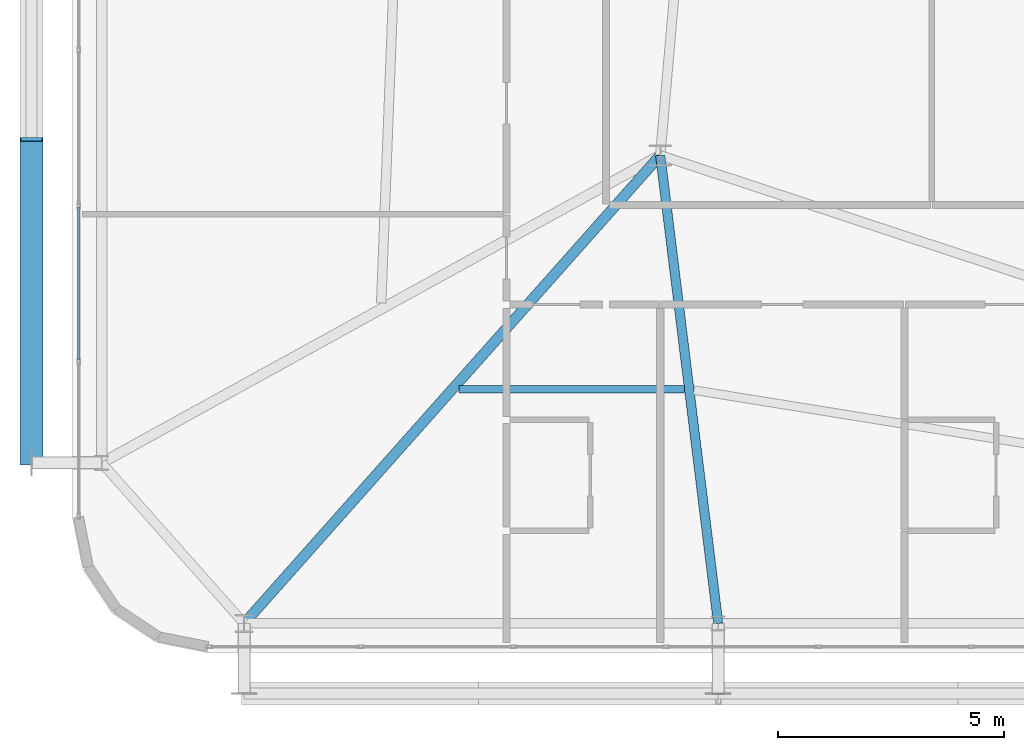
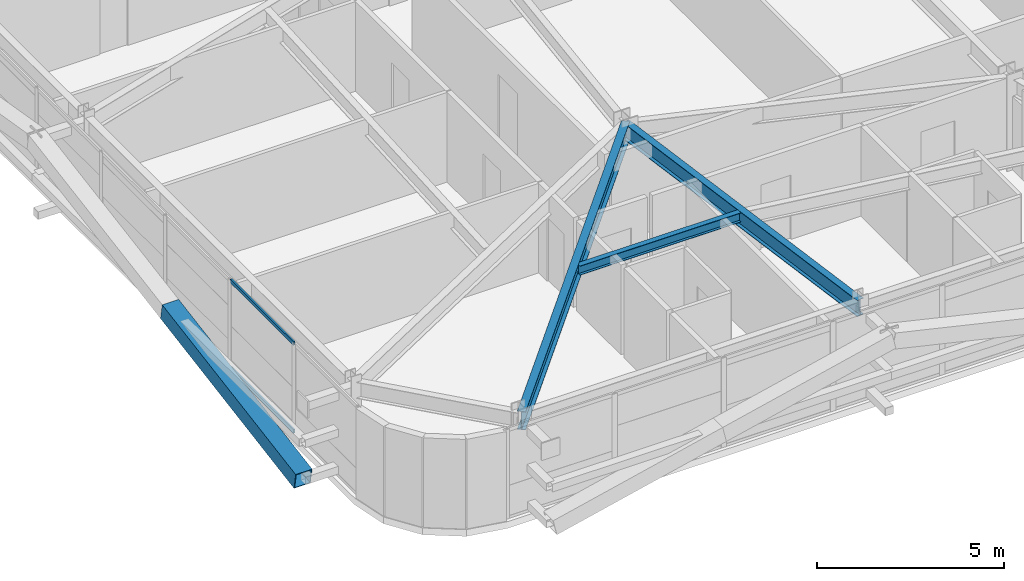
# One storey, part 7 of 58: 3 beams, 3 members, 1 element without a shape of its own.
"""IFC4 building model written with IfcOpenShell, lengths in metres."""

from ifc_helpers import new_model, si_unit, direction, frame, origin, origin_2d, place, context, subcontext, project, spatial, hollow_rectangle, i_section, extrude, source, transform, mapped, material, layer, layer_set, material_profile, profile_set, type_object, element, aggregate, save


model = new_model("IFC4")

# Units and contexts
model_context = context("Model", 3, precision=1e-05, world=origin(), true_north=direction((0.0, 1.0)))
body_context = subcontext(model_context, "Body", "Model", "MODEL_VIEW")
ifc_project = project(units=[si_unit("LENGTHUNIT", "METRE"), si_unit("AREAUNIT", "SQUARE_METRE"), si_unit("VOLUMEUNIT", "CUBIC_METRE"), si_unit("PLANEANGLEUNIT", "RADIAN"), si_unit("MASSUNIT", "GRAM", prefix="KILO")], contexts=[model_context])

# Site, building, storey
site_placement = place(None, origin())
site = spatial("IfcSite", under=ifc_project, at=site_placement, CompositionType="ELEMENT")
building_placement = place(site_placement, origin())
building = spatial("IfcBuilding", under=site, at=building_placement, Name="Taldren Reach Tower", CompositionType="ELEMENT")
storey_placement = place(building_placement, frame((0.0, 0.0, 35.699951171875)))
storey = spatial("IfcBuildingStorey", under=building, at=storey_placement, Name="L10", CompositionType="ELEMENT", Elevation=35.699951171875)

# Beams
ifc_material_1 = material(Name="Steel Gr 350 (350PLUS)", Category="steel")
ifc_material_profile_1 = material_profile(ifc_material_1, i_section(OverallWidth=0.22802734375, OverallDepth=0.60205078125, WebThickness=0.010498046875, FlangeThickness=0.014892578125, at=origin_2d()), Name="610UB101")
ifc_profile_set_1 = profile_set([ifc_material_profile_1], Name="Steel Gr 350 (350PLUS)")
beam_type_1 = type_object("IfcBeamType", Name="BM-UB610B", PredefinedType="BEAM", material=ifc_profile_set_1)
shared_shape_1 = source(origin(), body_context, "Body", "SweptSolid", [
    extrude(i_section(OverallWidth=0.22802734375, OverallDepth=0.60205078125, WebThickness=0.010498046875, FlangeThickness=0.014892578125, at=origin_2d()), origin(), (0.0, 0.0, 1.0), 13.847900390625),
])
beam_1_placement = place(storey_placement, frame((18.0, 12.5, 2.629150390625), z_axis=(-0.664358367375, -0.747414182164, 0.0), x_axis=(0.747414182164, -0.664358367375, 0.0)))
element("IfcBeam", 1, at=beam_1_placement, inside=storey, type_object=beam_type_1, Name="Primary floor girder B1-S1 L10", PredefinedType="BEAM", context=body_context, shape_type="MappedRepresentation", body=[
    mapped(shared_shape_1, transform((0.0, 0.0, 0.0), scale=1.0)),
])
ifc_material_profile_2 = material_profile(ifc_material_1, i_section(OverallWidth=0.208984375, OverallDepth=0.532958984375, WebThickness=0.01025390625, FlangeThickness=0.015625, at=origin_2d()), Name="530UB92.4")
ifc_profile_set_2 = profile_set([ifc_material_profile_2], Name="Steel Gr 350 (350PLUS)")
beam_type_2 = type_object("IfcBeamType", Name="BM-UB530A", PredefinedType="BEAM", material=ifc_profile_set_2)
shared_shape_2 = source(origin(), body_context, "Body", "SweptSolid", [
    extrude(i_section(OverallWidth=0.208984375, OverallDepth=0.532958984375, WebThickness=0.01025390625, FlangeThickness=0.015625, at=origin_2d()), origin(), (0.0, 0.0, 1.0), 10.428955078125),
])
beam_2_placement = place(storey_placement, frame((18.0, 12.5, 2.66357421875), z_axis=(0.122738080664, -0.992439098159, 0.0), x_axis=(0.992439098159, 0.122738080664, 0.0)))
element("IfcBeam", 2, at=beam_2_placement, inside=storey, type_object=beam_type_2, Name="Primary floor girder B1-S2 L10", PredefinedType="BEAM", context=body_context, shape_type="MappedRepresentation", body=[
    mapped(shared_shape_2, transform((0.0, 0.0, 0.0), scale=1.0)),
])
ifc_material_2 = material(Name="Steel Gr 300 (300PLUS, 300 MPa)", Category="steel")
ifc_material_profile_3 = material_profile(ifc_material_2, i_section(OverallWidth=0.166015625, OverallDepth=0.306884765625, WebThickness=0.006591796875, FlangeThickness=0.01171875, at=origin_2d()), Name="310UB46.2")
ifc_profile_set_3 = profile_set([ifc_material_profile_3], Name="Steel Gr 300 (300PLUS, 300 MPa)")
beam_type_3 = type_object("IfcBeamType", Name="JS-UB310", PredefinedType="JOIST", material=ifc_profile_set_3)
shared_shape_3 = source(origin(), body_context, "Body", "SweptSolid", [
    extrude(i_section(OverallWidth=0.166015625, OverallDepth=0.306884765625, WebThickness=0.006591796875, FlangeThickness=0.01171875, at=origin_2d()), origin(), (0.0, 0.0, 1.0), 4.982177734375),
])
beam_3_placement = place(storey_placement, frame((13.552490234375, 7.324951171875, 2.776611328125), z_axis=(1.0, 0.0, 0.0), x_axis=(0.0, 1.0, 0.0)))
element("IfcBeam", 3, at=beam_3_placement, inside=storey, type_object=beam_type_3, Name="Secondary floor joist B1 J1 L10", PredefinedType="JOIST", context=body_context, shape_type="MappedRepresentation", body=[
    mapped(shared_shape_3, transform((0.0, 0.0, 0.0), scale=1.0)),
])

# Member
ifc_material_3 = material(Name="Steel Gr 450 (C450L0)", Category="steel")
ifc_material_profile_4 = material_profile(ifc_material_3, hollow_rectangle(XDim=0.510009765625, YDim=0.510009765625, WallThickness=0.02001953125, at=origin_2d()), Name="510x510x20.0SHS")
ifc_profile_set_4 = profile_set([ifc_material_profile_4], Name="Steel Gr 450 (C450L0)")
member_type_1 = type_object("IfcMemberType", Name="MB-EXO508", PredefinedType="BRACE", material=ifc_profile_set_4)
shared_shape_4 = source(origin(), body_context, "Body", "SweptSolid", [
    extrude(hollow_rectangle(XDim=0.510009765625, YDim=0.510009765625, WallThickness=0.02001953125, at=origin_2d()), origin(), (0.0, 0.0, 1.0), 7.252685546875),
])
member_1_placement = place(storey_placement, frame((4.10009765625, 5.699951171875, 0.219970703125), z_axis=(0.0, 0.985865800628, 0.167536930711), x_axis=(-1.0, 0.0, 0.0)))
element("IfcMember", 4, at=member_1_placement, inside=storey, type_object=member_type_1, Name="Exoskeleton Diagrid Brace B1-W1 L10", PredefinedType="BRACE", context=body_context, shape_type="MappedRepresentation", body=[
    mapped(shared_shape_4, transform((0.0, 0.0, 0.0), scale=1.0)),
])

# Curtain wall, members
ifc_material_4 = material(Name="Aluminium and Low-E Glass Unitised System", Category="aluminium")
ifc_layer = layer(ifc_material_4, 0.159912109375)
ifc_layer_set = layer_set([ifc_layer], Name="Aluminium and Low-E Glass Unitised System")
curtain_wall_type = type_object("IfcCurtainWallType", Name="CW-SYS-2", PredefinedType="NOTDEFINED", material=ifc_layer_set)
curtain_wall_placement = place(storey_placement, origin())
curtain_wall = element("IfcCurtainWall", 5, at=curtain_wall_placement, inside=storey, type_object=curtain_wall_type, Name="Unitised curtain wall CW-L10-W", PredefinedType="NOTDEFINED")
ifc_material_5 = material(Name="Anodised Aluminium 6063-T6", Category="aluminium")
ifc_material_profile_5 = material_profile(ifc_material_5, hollow_rectangle(XDim=0.054931640625, YDim=0.1201171875, WallThickness=0.0029296875, at=origin_2d()), Name="ALU-120x55x3RHS")
ifc_profile_set_5 = profile_set([ifc_material_profile_5], Name="Anodised Aluminium 6063-T6")
member_type_2 = type_object("IfcMemberType", Name="CW-TRN-135", PredefinedType="USERDEFINED", material=ifc_profile_set_5)
shared_shape_5 = source(origin(), body_context, "Body", "SweptSolid", [
    extrude(hollow_rectangle(XDim=0.054931640625, YDim=0.1201171875, WallThickness=0.0029296875, at=origin_2d()), origin(), (0.0, 0.0, 1.0), 3.37939453125),
])
member_2_placement = place(storey_placement, frame((5.139892578125, 11.3564453125, 0.027587890625), z_axis=(0.0, -1.0, 0.0), x_axis=(1.0, 0.0, 0.0)))
member_2 = element("IfcMember", 6, at=member_2_placement, type_object=member_type_2, Name="CW-2 transom 8.1", ObjectType="TRANSOM", PredefinedType="USERDEFINED", context=body_context, shape_type="MappedRepresentation", body=[
    mapped(shared_shape_5, transform((0.0, 0.0, 0.0), scale=1.0)),
])
member_3_placement = place(storey_placement, frame((5.139892578125, 11.3564453125, 2.902587890625), z_axis=(0.0, -1.0, 0.0), x_axis=(1.0, 0.0, 0.0)))
member_3 = element("IfcMember", 7, at=member_3_placement, type_object=member_type_2, Name="CW-2 transom 8.2", ObjectType="TRANSOM", PredefinedType="USERDEFINED", context=body_context, shape_type="MappedRepresentation", body=[
    mapped(shared_shape_5, transform((0.0, 0.0, 0.0), scale=1.0)),
])
aggregate(curtain_wall, [member_2, member_3])

save(model, "model.ifc")
